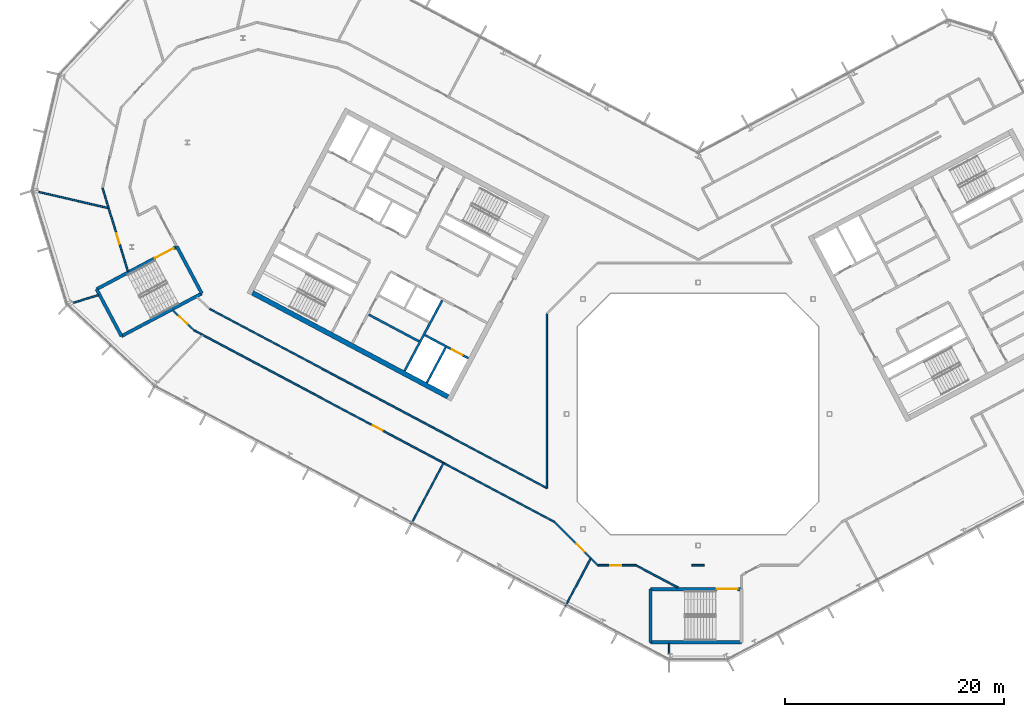
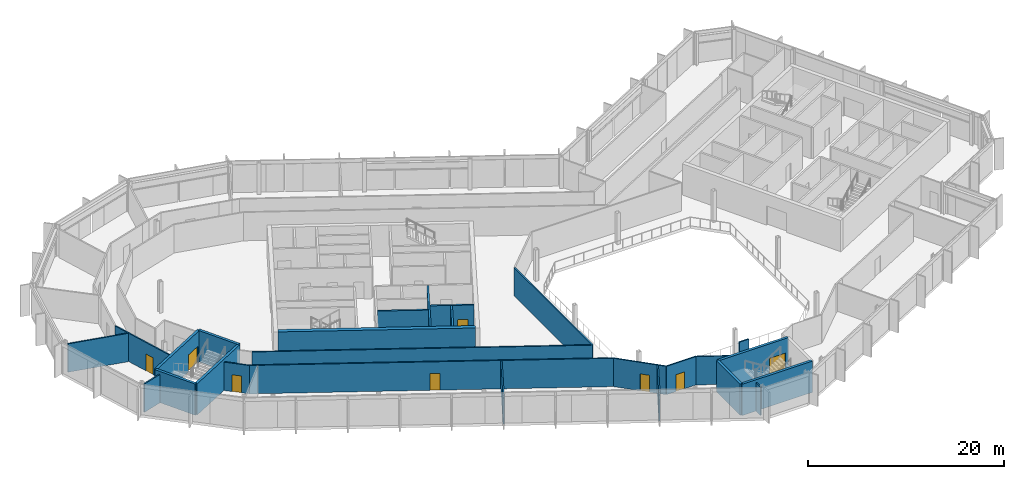
# One storey, part 12 of 25: 29 walls, 8 doors, 8 openings.
"""IFC4 building model written with IfcOpenShell, lengths in metres."""

from ifc_helpers import new_model, si_unit, direction, frame, frame_2d, origin, place, context, subcontext, project, spatial, rectangle, extrude, material, layer, layer_set, type_object, element, fill, save


model = new_model("IFC4")

# Units and contexts
model_context = context("Model", 3, precision=1e-05, world=origin(), true_north=direction((0.0, 1.0)))
body_context = subcontext(model_context, "Body", "Model", "MODEL_VIEW")
ifc_project = project(units=[si_unit("LENGTHUNIT", "METRE"), si_unit("AREAUNIT", "SQUARE_METRE"), si_unit("VOLUMEUNIT", "CUBIC_METRE"), si_unit("PLANEANGLEUNIT", "RADIAN"), si_unit("MASSUNIT", "GRAM", prefix="KILO")], contexts=[model_context])

# Site, building, storey
site_placement = place(None, origin())
site = spatial("IfcSite", under=ifc_project, at=site_placement, CompositionType="ELEMENT")
building_placement = place(site_placement, origin())
building = spatial("IfcBuilding", under=site, at=building_placement, Name="Cormorant Relay Tower", CompositionType="ELEMENT")
storey_placement = place(building_placement, frame((0.0, 0.0, 289.199951171875)))
storey = spatial("IfcBuildingStorey", under=building, at=storey_placement, Name="L65", CompositionType="ELEMENT", Elevation=289.199951171875)

# Walls
ifc_material_1 = material(Name="Concrete 40 MPa", Category="concrete")
ifc_layer_1 = layer(ifc_material_1, 0.199951171875)
ifc_layer_set_1 = layer_set([ifc_layer_1], Name="Core internal wall 200")
wall_type_1 = type_object("IfcWallType", Name="Core internal wall 200", PredefinedType="SOLIDWALL", material=ifc_layer_set_1)
wall_1_placement = place(storey_placement, frame((-25.46728515625, 6.632568359375, 0.0), z_axis=(0.0, 0.0, 1.0), x_axis=(-0.882953967957, 0.469459572775, 0.0)))
element("IfcWall", 1, at=wall_1_placement, inside=storey, type_object=wall_type_1, Name="L65 core A shaft and room wall", PredefinedType="SOLIDWALL", context=body_context, shape_type="SweptSolid", body=[
    extrude(rectangle(XDim=5.199951171875, YDim=0.199951171875, at=frame_2d((2.60009765625, 0.0))), origin(), (0.0, 0.0, 1.0), 3.900146484375),
])
ifc_material_2 = material(Name="Concrete 50 MPa", Category="concrete")
ifc_layer_2 = layer(ifc_material_2, 0.199951171875)
ifc_layer_set_2 = layer_set([ifc_layer_2], Name="Core shaft wall 200")
wall_type_2 = type_object("IfcWallType", Name="Core shaft wall 200", PredefinedType="SHEAR", material=ifc_layer_set_2)
wall_2_placement = place(storey_placement, frame((-23.04296875, 6.07958984375, 0.0), z_axis=(0.0, 0.0, 1.0), x_axis=(-0.469494272526, -0.882935517501, 0.0)))
element("IfcWall", 2, at=wall_2_placement, inside=storey, type_object=wall_type_2, Name="L65 core A shaft wall", PredefinedType="SHEAR", context=body_context, shape_type="SweptSolid", body=[
    extrude(rectangle(XDim=3.64990234375, YDim=0.199951171875, at=frame_2d((1.824951171875, 0.0))), origin(), (0.0, 0.0, 1.0), 3.900146484375),
])
wall_3_placement = place(storey_placement, frame((-23.360107421875, 10.38232421875, 0.0), z_axis=(0.0, 0.0, 1.0), x_axis=(-0.469480409012, -0.88294288918, 0.0)))
element("IfcWall", 3, at=wall_3_placement, inside=storey, type_object=wall_type_2, Name="L65 core A shaft wall", PredefinedType="SHEAR", context=body_context, shape_type="SweptSolid", body=[
    extrude(rectangle(XDim=7.300048828125, YDim=0.199951171875, at=frame_2d((3.64990234375, 0.0))), origin(), (0.0, 0.0, 1.0), 3.900146484375),
])

# Wall, opening, door
wall_4_placement = place(storey_placement, frame((-20.96533203125, 5.088134765625, 0.0), z_axis=(0.0, 0.0, 1.0), x_axis=(-0.882925986334, 0.469512196493, 0.0)))
wall_4 = element("IfcWall", 4, at=wall_4_placement, inside=storey, type_object=wall_type_2, Name="L65 core A shaft wall", PredefinedType="SHEAR", context=body_context, shape_type="SweptSolid", body=[
    extrude(rectangle(XDim=4.5, YDim=0.199951171875, at=frame_2d((2.25, 0.0))), origin(), (0.0, 0.0, 1.0), 3.900146484375),
])
opening_1_placement = place(wall_4_placement, frame((0.60009765625, 0.0, 0.0)))
opening_1 = element("IfcOpeningElement", 5, at=opening_1_placement, cuts=wall_4, Name="Opening LD1-063", PredefinedType="OPENING", context=body_context, shape_type="SweptSolid", body=[
    extrude(rectangle(XDim=1.10009765625, YDim=2.10009765625, at=frame_2d((0.550048828125, 1.050048828125))), frame((0.0, 0.10986328125, 0.0), z_axis=(0.0, -1.0, 0.0), x_axis=(1.0, 0.0, 0.0)), (0.0, 0.0, 1.0), 0.219970703125),
])
ifc_material_3 = material(Name="Stainless steel 316", Category="steel")
door_type_1 = type_object("IfcDoorType", Name="Lift landing door 1100x2100", OperationType="DOUBLE_DOOR_SLIDING", PredefinedType="DOOR", material=ifc_material_3)
door_1_placement = place(opening_1_placement, origin())
door_1 = element("IfcDoor", 6, at=door_1_placement, inside=storey, type_object=door_type_1, Name="FF1 landing door", OperationType="DOUBLE_DOOR_SLIDING", OverallHeight=2.10009765625, OverallWidth=1.10009765625, PredefinedType="DOOR", context=body_context, shape_type="SweptSolid", body=[
    extrude(rectangle(XDim=1.10009765625, YDim=2.10009765625, at=frame_2d((0.550048828125, 1.050048828125))), frame((0.0, 0.02490234375, 0.0), z_axis=(0.0, -1.0, 0.0), x_axis=(1.0, 0.0, 0.0)), (0.0, 0.0, 1.0), 0.050048828125),
])
fill(opening_1, door_1)

# Walls
ifc_material_4 = material(Name="Concrete 50 MPa", Category="concrete")
ifc_layer_3 = layer(ifc_material_4, 0.449951171875)
ifc_layer_set_3 = layer_set([ifc_layer_3], Name="Core wall 450")
wall_type_3 = type_object("IfcWallType", Name="Core wall 450", PredefinedType="SHEAR", material=ifc_layer_set_3)
wall_5_placement = place(storey_placement, frame((-22.83154296875, 1.578369140625, 0.0), z_axis=(0.0, 0.0, 1.0), x_axis=(-0.88294509198, 0.469476266226, 0.0)))
element("IfcWall", 7, at=wall_5_placement, inside=storey, type_object=wall_type_3, Name="L65 core A wall", PredefinedType="SHEAR", context=body_context, shape_type="SweptSolid", body=[
    extrude(rectangle(XDim=20.199951171875, YDim=0.449951171875, at=frame_2d((10.10009765625, 0.0))), origin(), (0.0, 0.0, 1.0), 3.900146484375),
])
ifc_material_5 = material(Name="Gypsum board fire partition")
ifc_layer_4 = layer(ifc_material_5, 0.14990234375)
ifc_layer_set_4 = layer_set([ifc_layer_4], Name="Corridor partition 150 EI 60")
wall_type_4 = type_object("IfcWallType", Name="Corridor partition 150 EI 60", PredefinedType="PARTITIONING", material=ifc_layer_set_4)
wall_6_placement = place(storey_placement, frame((-54.35693359375, 20.615966796875, 0.0), z_axis=(0.0, 0.0, 1.0), x_axis=(0.29225817084, -0.956339459385, 0.0)))
element("IfcWall", 8, at=wall_6_placement, inside=storey, type_object=wall_type_4, Name="wall/L65/part/005", PredefinedType="PARTITIONING", context=body_context, shape_type="SweptSolid", body=[
    extrude(rectangle(XDim=1.8779296875, YDim=0.14990234375, at=frame_2d((0.93896484375, 0.0))), origin(), (0.0, 0.0, 1.0), 3.5400390625),
])

# Wall, opening, door
wall_7_placement = place(storey_placement, frame((-52.0380859375, 13.031005859375, 0.0), z_axis=(0.0, 0.0, 1.0), x_axis=(-0.29239066517, 0.956298958967, 0.0)))
wall_7 = element("IfcWall", 9, at=wall_7_placement, inside=storey, type_object=wall_type_4, Name="wall/L65/part/006", PredefinedType="PARTITIONING", context=body_context, shape_type="SweptSolid", body=[
    extrude(rectangle(XDim=6.0537109375, YDim=0.14990234375, at=frame_2d((3.02685546875, 0.0))), origin(), (0.0, 0.0, 1.0), 3.5400390625),
])
opening_2_placement = place(wall_7_placement, frame((2.60009765625, 0.0, 0.0)))
opening_2 = element("IfcOpeningElement", 10, at=opening_2_placement, cuts=wall_7, Name="Opening DS-227", PredefinedType="OPENING", context=body_context, shape_type="SweptSolid", body=[
    extrude(rectangle(XDim=1.0, YDim=2.10009765625, at=frame_2d((0.5, 1.050048828125))), frame((0.0, 0.0849609375, 0.0), z_axis=(0.0, -1.0, 0.0), x_axis=(1.0, 0.0, 0.0)), (0.0, 0.0, 1.0), 0.169921875),
])
ifc_material_6 = material(Name="Timber door leaf", Category="wood")
door_type_2 = type_object("IfcDoorType", Name="Suite door 1000x2100", OperationType="SINGLE_SWING_LEFT", PredefinedType="DOOR", material=ifc_material_6)
door_2_placement = place(opening_2_placement, origin())
door_2 = element("IfcDoor", 11, at=door_2_placement, inside=storey, type_object=door_type_2, Name="door/L65/012", OperationType="SINGLE_SWING_LEFT", OverallHeight=2.10009765625, OverallWidth=1.0, PredefinedType="DOOR", context=body_context, shape_type="SweptSolid", body=[
    extrude(rectangle(XDim=1.0, YDim=2.10009765625, at=frame_2d((0.5, 1.050048828125))), frame((0.0, 0.02490234375, 0.0), z_axis=(0.0, -1.0, 0.0), x_axis=(1.0, 0.0, 0.0)), (0.0, 0.0, 1.0), 0.050048828125),
])
fill(opening_2, door_2)

# Walls
wall_8_placement = place(storey_placement, frame((-13.800048828125, 9.159912109375, 0.0), z_axis=(0.0, 0.0, 1.0), x_axis=(0.0, -1.0, 0.0)))
element("IfcWall", 12, at=wall_8_placement, inside=storey, type_object=wall_type_4, Name="wall/L65/part/029", PredefinedType="PARTITIONING", context=body_context, shape_type="SweptSolid", body=[
    extrude(rectangle(XDim=15.9228515625, YDim=0.14990234375, at=frame_2d((7.96142578125, 0.0))), origin(), (0.0, 0.0, 1.0), 3.5400390625),
])
wall_9_placement = place(storey_placement, frame((-13.800048828125, -6.762939453125, 0.0), z_axis=(0.0, 0.0, 1.0), x_axis=(-0.882949839356, 0.469467337716, 0.0)))
element("IfcWall", 13, at=wall_9_placement, inside=storey, type_object=wall_type_4, Name="wall/L65/part/030", PredefinedType="PARTITIONING", context=body_context, shape_type="SweptSolid", body=[
    extrude(rectangle(XDim=34.864990234375, YDim=0.14990234375, at=frame_2d((17.4326171875, 0.0))), origin(), (0.0, 0.0, 1.0), 3.5400390625),
])
wall_10_placement = place(storey_placement, frame((-45.299072265625, 7.26708984375, 0.0), z_axis=(0.0, 0.0, 1.0), x_axis=(-0.882897191907, 0.469566340918, 0.0)))
element("IfcWall", 14, at=wall_10_placement, inside=storey, type_object=wall_type_4, Name="wall/L65/part/032", PredefinedType="PARTITIONING", context=body_context, shape_type="SweptSolid", body=[
    extrude(rectangle(XDim=0.781494140625, YDim=0.14990234375, at=frame_2d((0.390625, 0.0))), origin(), (0.0, 0.0, 1.0), 3.5400390625),
])

# Wall, opening, door
wall_11_placement = place(storey_placement, frame((-45.989013671875, 7.634033203125, 0.0), z_axis=(0.0, 0.0, 1.0), x_axis=(-0.731461293005, 0.681882964178, 0.0)))
wall_11 = element("IfcWall", 15, at=wall_11_placement, inside=storey, type_object=wall_type_4, Name="wall/L65/part/033", PredefinedType="PARTITIONING", context=body_context, shape_type="SweptSolid", body=[
    extrude(rectangle(XDim=2.698486328125, YDim=0.14990234375, at=frame_2d((1.34912109375, 0.0))), origin(), (0.0, 0.0, 1.0), 3.5400390625),
])
opening_3_placement = place(wall_11_placement, frame((0.85009765625, 0.0, 0.0)))
opening_3 = element("IfcOpeningElement", 16, at=opening_3_placement, cuts=wall_11, Name="Opening DS-228", PredefinedType="OPENING", context=body_context, shape_type="SweptSolid", body=[
    extrude(rectangle(XDim=1.0, YDim=2.10009765625, at=frame_2d((0.5, 1.050048828125))), frame((0.0, 0.0849609375, 0.0), z_axis=(0.0, -1.0, 0.0), x_axis=(1.0, 0.0, 0.0)), (0.0, 0.0, 1.0), 0.169921875),
])
door_3_placement = place(opening_3_placement, origin())
door_3 = element("IfcDoor", 17, at=door_3_placement, inside=storey, type_object=door_type_2, Name="door/L65/013", OperationType="SINGLE_SWING_RIGHT", OverallHeight=2.10009765625, OverallWidth=1.0, PredefinedType="DOOR", context=body_context, shape_type="SweptSolid", body=[
    extrude(rectangle(XDim=1.0, YDim=2.10009765625, at=frame_2d((0.5, 1.050048828125))), frame((0.0, 0.02490234375, 0.0), z_axis=(0.0, -1.0, 0.0), x_axis=(1.0, 0.0, 0.0)), (0.0, 0.0, 1.0), 0.050048828125),
])
fill(opening_3, door_3)

wall_12_placement = place(storey_placement, frame((-9.7900390625, -13.169921875, 0.0), z_axis=(0.0, 0.0, 1.0), x_axis=(-0.707106781187, 0.707106781187, 0.0)))
wall_12 = element("IfcWall", 18, at=wall_12_placement, inside=storey, type_object=wall_type_4, Name="wall/L65/part/034", PredefinedType="PARTITIONING", context=body_context, shape_type="SweptSolid", body=[
    extrude(rectangle(XDim=4.700927734375, YDim=0.14990234375, at=frame_2d((2.3505859375, 0.0))), origin(), (0.0, 0.0, 1.0), 3.5400390625),
])
opening_4_placement = place(wall_12_placement, frame((0.85107421875, 0.0, 0.0)))
opening_4 = element("IfcOpeningElement", 19, at=opening_4_placement, cuts=wall_12, Name="Opening DS-230", PredefinedType="OPENING", context=body_context, shape_type="SweptSolid", body=[
    extrude(rectangle(XDim=1.0, YDim=2.10009765625, at=frame_2d((0.5, 1.050048828125))), frame((0.0, 0.0849609375, 0.0), z_axis=(0.0, -1.0, 0.0), x_axis=(1.0, 0.0, 0.0)), (0.0, 0.0, 1.0), 0.169921875),
])
door_4_placement = place(opening_4_placement, origin())
door_4 = element("IfcDoor", 20, at=door_4_placement, inside=storey, type_object=door_type_2, Name="door/L65/015", OperationType="SINGLE_SWING_LEFT", OverallHeight=2.10009765625, OverallWidth=1.0, PredefinedType="DOOR", context=body_context, shape_type="SweptSolid", body=[
    extrude(rectangle(XDim=1.0, YDim=2.10009765625, at=frame_2d((0.5, 1.050048828125))), frame((0.0, 0.02490234375, 0.0), z_axis=(0.0, -1.0, 0.0), x_axis=(1.0, 0.0, 0.0)), (0.0, 0.0, 1.0), 0.050048828125),
])
fill(opening_4, door_4)

wall_13_placement = place(storey_placement, frame((-13.114013671875, -9.845947265625, 0.0), z_axis=(0.0, 0.0, 1.0), x_axis=(-0.88294829908, 0.469470234575, 0.0)))
wall_13 = element("IfcWall", 21, at=wall_13_placement, inside=storey, type_object=wall_type_4, Name="wall/L65/part/035", PredefinedType="PARTITIONING", context=body_context, shape_type="SweptSolid", body=[
    extrude(rectangle(XDim=36.451904296875, YDim=0.14990234375, at=frame_2d((18.22607421875, 0.0))), origin(), (0.0, 0.0, 1.0), 3.5400390625),
])
opening_5_placement = place(wall_13_placement, frame((17.75, 0.0, 0.0)))
opening_5 = element("IfcOpeningElement", 22, at=opening_5_placement, cuts=wall_13, Name="Opening DS-229", PredefinedType="OPENING", context=body_context, shape_type="SweptSolid", body=[
    extrude(rectangle(XDim=1.0, YDim=2.10009765625, at=frame_2d((0.5, 1.050048828125))), frame((0.0, 0.0849609375, 0.0), z_axis=(0.0, -1.0, 0.0), x_axis=(1.0, 0.0, 0.0)), (0.0, 0.0, 1.0), 0.169921875),
])
door_5_placement = place(opening_5_placement, origin())
door_5 = element("IfcDoor", 23, at=door_5_placement, inside=storey, type_object=door_type_2, Name="door/L65/014", OperationType="SINGLE_SWING_LEFT", OverallHeight=2.10009765625, OverallWidth=1.0, PredefinedType="DOOR", context=body_context, shape_type="SweptSolid", body=[
    extrude(rectangle(XDim=1.0, YDim=2.10009765625, at=frame_2d((0.5, 1.050048828125))), frame((0.0, 0.02490234375, 0.0), z_axis=(0.0, -1.0, 0.0), x_axis=(1.0, 0.0, 0.0)), (0.0, 0.0, 1.0), 0.050048828125),
])
fill(opening_5, door_5)

wall_14_placement = place(storey_placement, frame((-5.626953125, -13.800048828125, 0.0), z_axis=(0.0, 0.0, 1.0), x_axis=(-1.0, 0.0, 0.0)))
wall_14 = element("IfcWall", 24, at=wall_14_placement, inside=storey, type_object=wall_type_4, Name="wall/L65/part/048", PredefinedType="PARTITIONING", context=body_context, shape_type="SweptSolid", body=[
    extrude(rectangle(XDim=3.532958984375, YDim=0.14990234375, at=frame_2d((1.7666015625, 0.0))), origin(), (0.0, 0.0, 1.0), 3.5400390625),
])
opening_6_placement = place(wall_14_placement, frame((1.402099609375, 0.0, 0.0)))
opening_6 = element("IfcOpeningElement", 25, at=opening_6_placement, cuts=wall_14, Name="Opening DS-231", PredefinedType="OPENING", context=body_context, shape_type="SweptSolid", body=[
    extrude(rectangle(XDim=1.0, YDim=2.10009765625, at=frame_2d((0.5, 1.050048828125))), frame((0.0, 0.0849609375, 0.0), z_axis=(0.0, -1.0, 0.0), x_axis=(1.0, 0.0, 0.0)), (0.0, 0.0, 1.0), 0.169921875),
])
door_6_placement = place(opening_6_placement, origin())
door_6 = element("IfcDoor", 26, at=door_6_placement, inside=storey, type_object=door_type_2, Name="door/L65/016", OperationType="SINGLE_SWING_LEFT", OverallHeight=2.10009765625, OverallWidth=1.0, PredefinedType="DOOR", context=body_context, shape_type="SweptSolid", body=[
    extrude(rectangle(XDim=1.0, YDim=2.10009765625, at=frame_2d((0.5, 1.050048828125))), frame((0.0, 0.02490234375, 0.0), z_axis=(0.0, -1.0, 0.0), x_axis=(1.0, 0.0, 0.0)), (0.0, 0.0, 1.0), 0.050048828125),
])
fill(opening_6, door_6)

# Walls
wall_15_placement = place(storey_placement, frame((-9.159912109375, -13.800048828125, 0.0), z_axis=(0.0, 0.0, 1.0), x_axis=(-0.707106781187, 0.707106781187, 0.0)))
element("IfcWall", 27, at=wall_15_placement, inside=storey, type_object=wall_type_4, Name="wall/L65/part/049", PredefinedType="PARTITIONING", context=body_context, shape_type="SweptSolid", body=[
    extrude(rectangle(XDim=0.89111328125, YDim=0.14990234375, at=frame_2d((0.445556640625, 0.0))), origin(), (0.0, 0.0, 1.0), 3.5400390625),
])
wall_16_placement = place(storey_placement, frame((-1.823974609375, -15.847900390625, 0.0), z_axis=(0.0, 0.0, 1.0), x_axis=(-0.883027323354, 0.469321580807, 0.0)))
element("IfcWall", 28, at=wall_16_placement, inside=storey, type_object=wall_type_4, Name="wall/L65/part/050", PredefinedType="PARTITIONING", context=body_context, shape_type="SweptSolid", body=[
    extrude(rectangle(XDim=4.363525390625, YDim=0.14990234375, at=frame_2d((2.181640625, 0.0))), origin(), (0.0, 0.0, 1.0), 3.5400390625),
])
wall_17_placement = place(storey_placement, frame((0.56494140625, -13.800048828125, 0.0), z_axis=(0.0, 0.0, 1.0), x_axis=(-1.0, 0.0, 0.0)))
element("IfcWall", 29, at=wall_17_placement, inside=storey, type_object=wall_type_4, Name="wall/L65/part/072", PredefinedType="PARTITIONING", context=body_context, shape_type="SweptSolid", body=[
    extrude(rectangle(XDim=1.1298828125, YDim=0.14990234375, at=frame_2d((0.56494140625, 0.0))), origin(), (0.0, 0.0, 1.0), 3.5400390625),
])
ifc_material_7 = material(Name="Concrete 50 MPa", Category="concrete")
ifc_layer_5 = layer(ifc_material_7, 0.300048828125)
ifc_layer_set_5 = layer_set([ifc_layer_5], Name="Remote stair wall 300")
wall_type_5 = type_object("IfcWallType", Name="Remote stair wall 300", PredefinedType="SHEAR", material=ifc_layer_set_5)
wall_18_placement = place(storey_placement, frame((3.949951171875, -20.824951171875, 0.0), z_axis=(0.0, 0.0, 1.0), x_axis=(-1.0, 0.0, 0.0)))
element("IfcWall", 30, at=wall_18_placement, inside=storey, type_object=wall_type_5, Name="L65 exit stair RK1 wall", PredefinedType="SHEAR", context=body_context, shape_type="SweptSolid", body=[
    extrude(rectangle(XDim=8.300048828125, YDim=0.300048828125, at=frame_2d((4.14990234375, 0.0))), origin(), (0.0, 0.0, 1.0), 3.900146484375),
])
wall_19_placement = place(storey_placement, frame((-4.35009765625, -20.824951171875, 0.0), z_axis=(0.0, 0.0, 1.0), x_axis=(0.0, 1.0, 0.0)))
element("IfcWall", 31, at=wall_19_placement, inside=storey, type_object=wall_type_5, Name="L65 exit stair RK1 wall", PredefinedType="SHEAR", context=body_context, shape_type="SweptSolid", body=[
    extrude(rectangle(XDim=4.849853515625, YDim=0.300048828125, at=frame_2d((2.4248046875, 0.0))), origin(), (0.0, 0.0, 1.0), 3.900146484375),
])

# Wall, opening, door
wall_20_placement = place(storey_placement, frame((-4.35009765625, -15.97509765625, 0.0), z_axis=(0.0, 0.0, 1.0), x_axis=(1.0, 0.0, 0.0)))
wall_20 = element("IfcWall", 32, at=wall_20_placement, inside=storey, type_object=wall_type_5, Name="L65 exit stair RK1 wall", PredefinedType="SHEAR", context=body_context, shape_type="SweptSolid", body=[
    extrude(rectangle(XDim=8.300048828125, YDim=0.300048828125, at=frame_2d((4.14990234375, 0.0))), origin(), (0.0, 0.0, 1.0), 3.900146484375),
])
opening_7_placement = place(wall_20_placement, frame((6.050048828125, 0.0, 0.0)))
opening_7 = element("IfcOpeningElement", 33, at=opening_7_placement, cuts=wall_20, Name="Opening CDE-014", PredefinedType="OPENING", context=body_context, shape_type="SweptSolid", body=[
    extrude(rectangle(XDim=1.89990234375, YDim=2.10009765625, at=frame_2d((0.949951171875, 1.050048828125))), frame((0.0, 0.159912109375, 0.0), z_axis=(0.0, -1.0, 0.0), x_axis=(1.0, 0.0, 0.0)), (0.0, 0.0, 1.0), 0.320068359375),
])
ifc_material_8 = material(Name="Steel fire door", Category="steel")
door_type_3 = type_object("IfcDoorType", Name="Remote stair door 1900x2100", OperationType="DOUBLE_DOOR_SINGLE_SWING", PredefinedType="DOOR", material=ifc_material_8)
door_7_placement = place(opening_7_placement, frame((1.89990234375, 0.0, 0.0), z_axis=(0.0, 0.0, 1.0), x_axis=(-1.0, 0.0, 0.0)))
door_7 = element("IfcDoor", 34, at=door_7_placement, inside=storey, type_object=door_type_3, Name="Exit stair RK1 door", OperationType="DOUBLE_DOOR_SINGLE_SWING", OverallHeight=2.10009765625, OverallWidth=1.89990234375, PredefinedType="DOOR", context=body_context, shape_type="SweptSolid", body=[
    extrude(rectangle(XDim=1.89990234375, YDim=2.10009765625, at=frame_2d((0.949951171875, 1.050048828125))), frame((0.0, 0.02490234375, 0.0), z_axis=(0.0, -1.0, 0.0), x_axis=(1.0, 0.0, 0.0)), (0.0, 0.0, 1.0), 0.050048828125),
])
fill(opening_7, door_7)

# Walls
wall_21_placement = place(storey_placement, frame((-47.57421875, 15.28955078125, 0.0), z_axis=(0.0, 0.0, 1.0), x_axis=(0.469443498566, -0.882962514297, 0.0)))
element("IfcWall", 35, at=wall_21_placement, inside=storey, type_object=wall_type_5, Name="L65 exit stair RP1 wall", PredefinedType="SHEAR", context=body_context, shape_type="SweptSolid", body=[
    extrude(rectangle(XDim=4.85009765625, YDim=0.300048828125, at=frame_2d((2.425048828125, 0.0))), origin(), (0.0, 0.0, 1.0), 3.900146484375),
])
wall_22_placement = place(storey_placement, frame((-45.29736328125, 11.007080078125, 0.0), z_axis=(0.0, 0.0, 1.0), x_axis=(-0.882951519127, -0.469464178475, 0.0)))
element("IfcWall", 36, at=wall_22_placement, inside=storey, type_object=wall_type_5, Name="L65 exit stair RP1 wall", PredefinedType="SHEAR", context=body_context, shape_type="SweptSolid", body=[
    extrude(rectangle(XDim=8.2998046875, YDim=0.300048828125, at=frame_2d((4.14990234375, 0.0))), origin(), (0.0, 0.0, 1.0), 3.900146484375),
])
wall_23_placement = place(storey_placement, frame((-52.625732421875, 7.110595703125, 0.0), z_axis=(0.0, 0.0, 1.0), x_axis=(-0.469464364128, 0.882951420416, 0.0)))
element("IfcWall", 37, at=wall_23_placement, inside=storey, type_object=wall_type_5, Name="L65 exit stair RP1 wall", PredefinedType="SHEAR", context=body_context, shape_type="SweptSolid", body=[
    extrude(rectangle(XDim=4.849853515625, YDim=0.300048828125, at=frame_2d((2.4248046875, 0.0))), origin(), (0.0, 0.0, 1.0), 3.900146484375),
])

# Wall, opening, door
wall_24_placement = place(storey_placement, frame((-54.902587890625, 11.392822265625, 0.0), z_axis=(0.0, 0.0, 1.0), x_axis=(0.882939326045, 0.469487110071, 0.0)))
wall_24 = element("IfcWall", 38, at=wall_24_placement, inside=storey, type_object=wall_type_5, Name="L65 exit stair RP1 wall", PredefinedType="SHEAR", context=body_context, shape_type="SweptSolid", body=[
    extrude(rectangle(XDim=8.300048828125, YDim=0.300048828125, at=frame_2d((4.14990234375, 0.0))), origin(), (0.0, 0.0, 1.0), 3.900146484375),
])
opening_8_placement = place(wall_24_placement, frame((6.050048828125, 0.0, 0.0)))
opening_8 = element("IfcOpeningElement", 39, at=opening_8_placement, cuts=wall_24, Name="Opening CDE-015", PredefinedType="OPENING", context=body_context, shape_type="SweptSolid", body=[
    extrude(rectangle(XDim=1.89990234375, YDim=2.10009765625, at=frame_2d((0.949951171875, 1.050048828125))), frame((0.0, 0.159912109375, 0.0), z_axis=(0.0, -1.0, 0.0), x_axis=(1.0, 0.0, 0.0)), (0.0, 0.0, 1.0), 0.320068359375),
])
door_8_placement = place(opening_8_placement, frame((1.89990234375, 0.0, 0.0), z_axis=(0.0, 0.0, 1.0), x_axis=(-1.0, 0.0, 0.0)))
door_8 = element("IfcDoor", 40, at=door_8_placement, inside=storey, type_object=door_type_3, Name="Exit stair RP1 door", OperationType="DOUBLE_DOOR_SINGLE_SWING", OverallHeight=2.10009765625, OverallWidth=1.89990234375, PredefinedType="DOOR", context=body_context, shape_type="SweptSolid", body=[
    extrude(rectangle(XDim=1.89990234375, YDim=2.10009765625, at=frame_2d((0.949951171875, 1.050048828125))), frame((0.0, 0.02490234375, 0.0), z_axis=(0.0, -1.0, 0.0), x_axis=(1.0, 0.0, 0.0)), (0.0, 0.0, 1.0), 0.050048828125),
])
fill(opening_8, door_8)

# Walls
ifc_material_9 = material(Name="Gypsum board partition")
ifc_layer_6 = layer(ifc_material_9, 0.14990234375)
ifc_layer_set_6 = layer_set([ifc_layer_6], Name="Tenant partition 150")
wall_type_6 = type_object("IfcWallType", Name="Tenant partition 150", PredefinedType="PARTITIONING", material=ifc_layer_set_6)
wall_25_placement = place(storey_placement, frame((-53.800048828125, 18.7958984375, 0.0), z_axis=(0.0, 0.0, 1.0), x_axis=(-0.974354729311, 0.225017469254, 0.0)))
element("IfcWall", 41, at=wall_25_placement, inside=storey, type_object=wall_type_6, Name="wall/L65/part/001", PredefinedType="PARTITIONING", context=body_context, shape_type="SweptSolid", body=[
    extrude(rectangle(XDim=6.546875, YDim=0.14990234375, at=frame_2d((3.2734375, 0.0))), origin(), (0.0, 0.0, 1.0), 3.5400390625),
])
wall_26_placement = place(storey_placement, frame((-54.73193359375, 10.85693359375, 0.0), z_axis=(0.0, 0.0, 1.0), x_axis=(-0.956231519395, -0.292611143525, 0.0)))
element("IfcWall", 42, at=wall_26_placement, inside=storey, type_object=wall_type_6, Name="wall/L65/part/003", PredefinedType="PARTITIONING", context=body_context, shape_type="SweptSolid", body=[
    extrude(rectangle(XDim=2.385498046875, YDim=0.14990234375, at=frame_2d((1.19287109375, 0.0))), origin(), (0.0, 0.0, 1.0), 3.5400390625),
])
wall_27_placement = place(storey_placement, frame((-23.23291015625, -4.466064453125, 0.0), z_axis=(0.0, 0.0, 1.0), x_axis=(-0.469528158273, -0.882917498178, 0.0)))
element("IfcWall", 43, at=wall_27_placement, inside=storey, type_object=wall_type_6, Name="wall/L65/part/013", PredefinedType="PARTITIONING", context=body_context, shape_type="SweptSolid", body=[
    extrude(rectangle(XDim=6.349365234375, YDim=0.14990234375, at=frame_2d((3.1748046875, 0.0))), origin(), (0.0, 0.0, 1.0), 3.5400390625),
])
wall_28_placement = place(storey_placement, frame((-9.7939453125, -13.1650390625, 0.0), z_axis=(0.0, 0.0, 1.0), x_axis=(-0.469669090987, -0.882842536906, 0.0)))
element("IfcWall", 44, at=wall_28_placement, inside=storey, type_object=wall_type_6, Name="wall/L65/part/046", PredefinedType="PARTITIONING", context=body_context, shape_type="SweptSolid", body=[
    extrude(rectangle(XDim=4.978271484375, YDim=0.14990234375, at=frame_2d((2.4892578125, 0.0))), origin(), (0.0, 0.0, 1.0), 3.5400390625),
])
wall_29_placement = place(storey_placement, frame((-2.64892578125, -20.925048828125, 0.0), z_axis=(0.0, 0.0, 1.0), x_axis=(0.0, -1.0, 0.0)))
element("IfcWall", 45, at=wall_29_placement, inside=storey, type_object=wall_type_6, Name="wall/L65/part/051", PredefinedType="PARTITIONING", context=body_context, shape_type="SweptSolid", body=[
    extrude(rectangle(XDim=0.966064453125, YDim=0.14990234375, at=frame_2d((0.48291015625, 0.0))), origin(), (0.0, 0.0, 1.0), 3.5400390625),
])

save(model, "model.ifc")
